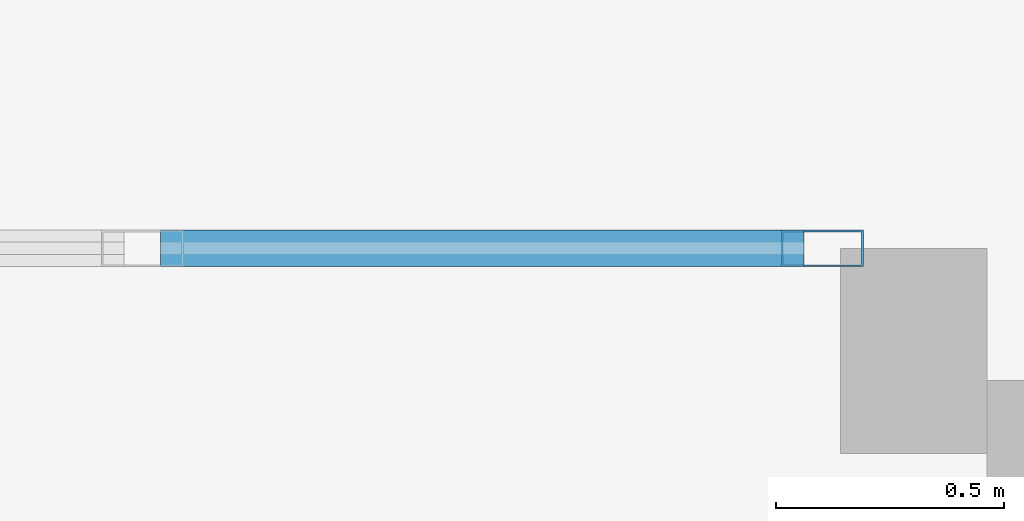
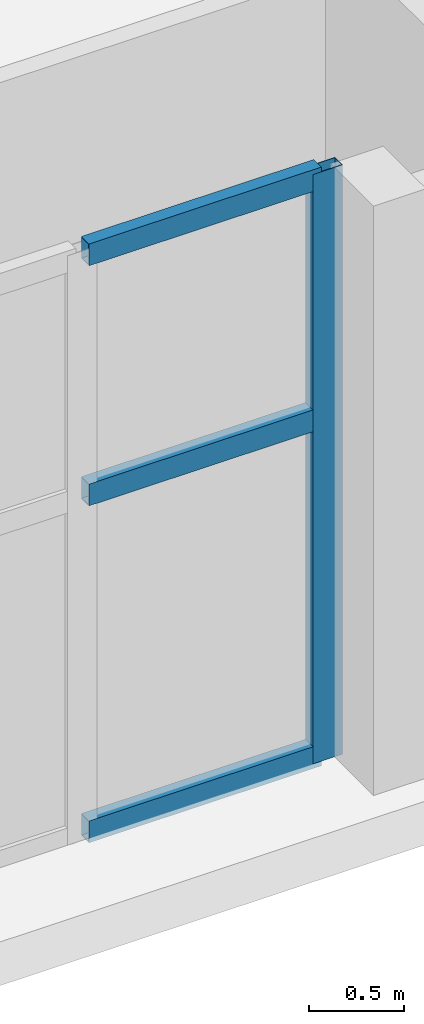
# One storey, part 5 of 22: 4 members, 1 element without a shape of its own.
"""IFC4 building model written with IfcOpenShell, lengths in metres."""

from ifc_helpers import new_model, si_unit, direction, frame, origin, origin_2d, place, context, subcontext, project, spatial, hollow_rectangle, extrude, material, layer, layer_set, material_profile, profile_set, type_object, element, aggregate, save


model = new_model("IFC4")

# Units and contexts
model_context = context("Model", 3, precision=1e-05, world=origin(), true_north=direction((0.0, 1.0)))
body_context = subcontext(model_context, "Body", "Model", "MODEL_VIEW")
ifc_project = project(units=[si_unit("LENGTHUNIT", "METRE"), si_unit("AREAUNIT", "SQUARE_METRE"), si_unit("VOLUMEUNIT", "CUBIC_METRE"), si_unit("PLANEANGLEUNIT", "RADIAN"), si_unit("MASSUNIT", "GRAM", prefix="KILO")], contexts=[model_context])

# Site, building, storey
site_placement = place(None, origin())
site = spatial("IfcSite", under=ifc_project, at=site_placement, CompositionType="ELEMENT")
building_placement = place(site_placement, origin())
building = spatial("IfcBuilding", under=site, at=building_placement, Name="Solanera Arch Residences", CompositionType="ELEMENT")
storey_placement = place(building_placement, frame((0.0, 0.0, 13.60009765625)))
storey = spatial("IfcBuildingStorey", under=building, at=storey_placement, Name="L03", CompositionType="ELEMENT", Elevation=13.60009765625)

# Curtain wall, members
ifc_material_1 = material(Name="Anodised Aluminium Alloy 6063-T6", Category="aluminium")
ifc_layer = layer(ifc_material_1, 0.179931640625)
ifc_layer_set = layer_set([ifc_layer], Name="Anodised Aluminium Alloy 6063-T6")
curtain_wall_type = type_object("IfcCurtainWallType", Name="CW-1 Arch Portal Unitised Glazing", PredefinedType="USERDEFINED", material=ifc_layer_set)
curtain_wall_placement = place(storey_placement, origin())
curtain_wall = element("IfcCurtainWall", 1, at=curtain_wall_placement, inside=storey, type_object=curtain_wall_type, Name="L03 Arch Portal Unitised Curtain Wall", ObjectType="CURTAIN_WALL", PredefinedType="USERDEFINED")
ifc_material_2 = material(Name="Anodised Aluminium Alloy 6063-T6", Category="aluminium")
ifc_material_profile_1 = material_profile(ifc_material_2, hollow_rectangle(XDim=0.080078125, YDim=0.179931640625, WallThickness=0.00390625, at=origin_2d()))
ifc_profile_set_1 = profile_set([ifc_material_profile_1], Name="Anodised Aluminium Alloy 6063-T6")
member_type_1 = type_object("IfcMemberType", Name="Curtain Wall Mullion ALU-MUL-80X180", PredefinedType="MULLION", material=ifc_profile_set_1)
member_1_placement = place(storey_placement, frame((34.89990234375, 10.6298828125, 0.0), z_axis=(0.0, 0.0, 1.0), x_axis=(0.0, -1.0, 0.0)))
member_1 = element("IfcMember", 2, at=member_1_placement, type_object=member_type_1, Name="CW-1 mullion 1", PredefinedType="MULLION", context=body_context, shape_type="SweptSolid", body=[
    extrude(hollow_rectangle(XDim=0.080078125, YDim=0.179931640625, WallThickness=0.00390625, at=origin_2d()), origin(), (0.0, 0.0, 1.0), 3.77978515625),
])
ifc_material_3 = material(Name="Anodised Aluminium Alloy 6063-T6", Category="aluminium")
ifc_material_profile_2 = material_profile(ifc_material_3, hollow_rectangle(XDim=0.080078125, YDim=0.139892578125, WallThickness=0.00390625, at=origin_2d()))
ifc_profile_set_2 = profile_set([ifc_material_profile_2], Name="Anodised Aluminium Alloy 6063-T6")
member_type_2 = type_object("IfcMemberType", Name="Curtain Wall Transom ALU-TRN-80X140", PredefinedType="USERDEFINED", material=ifc_profile_set_2)
member_2_placement = place(storey_placement, frame((34.860107421875, 10.6298828125, 0.039794921875), z_axis=(-1.0, 0.0, 0.0), x_axis=(0.0, -1.0, 0.0)))
member_2 = element("IfcMember", 3, at=member_2_placement, type_object=member_type_2, Name="CW-1 transom 1.1", ObjectType="TRANSOM", PredefinedType="USERDEFINED", context=body_context, shape_type="SweptSolid", body=[
    extrude(hollow_rectangle(XDim=0.080078125, YDim=0.139892578125, WallThickness=0.00390625, at=origin_2d()), origin(), (0.0, 0.0, 1.0), 1.409423828125),
])
member_3_placement = place(storey_placement, frame((34.860107421875, 10.6298828125, 2.199951171875), z_axis=(-1.0, 0.0, 0.0), x_axis=(0.0, -1.0, 0.0)))
member_3 = element("IfcMember", 4, at=member_3_placement, type_object=member_type_2, Name="CW-1 transom 1.2", ObjectType="TRANSOM", PredefinedType="USERDEFINED", context=body_context, shape_type="SweptSolid", body=[
    extrude(hollow_rectangle(XDim=0.080078125, YDim=0.139892578125, WallThickness=0.00390625, at=origin_2d()), origin(), (0.0, 0.0, 1.0), 1.409423828125),
])
member_4_placement = place(storey_placement, frame((34.860107421875, 10.6298828125, 3.739990234375), z_axis=(-1.0, 0.0, 0.0), x_axis=(0.0, -1.0, 0.0)))
member_4 = element("IfcMember", 5, at=member_4_placement, type_object=member_type_2, Name="CW-1 transom 1.3", ObjectType="TRANSOM", PredefinedType="USERDEFINED", context=body_context, shape_type="SweptSolid", body=[
    extrude(hollow_rectangle(XDim=0.080078125, YDim=0.139892578125, WallThickness=0.00390625, at=origin_2d()), origin(), (0.0, 0.0, 1.0), 1.409423828125),
])
aggregate(curtain_wall, [member_1, member_2, member_3, member_4])

save(model, "model.ifc")
